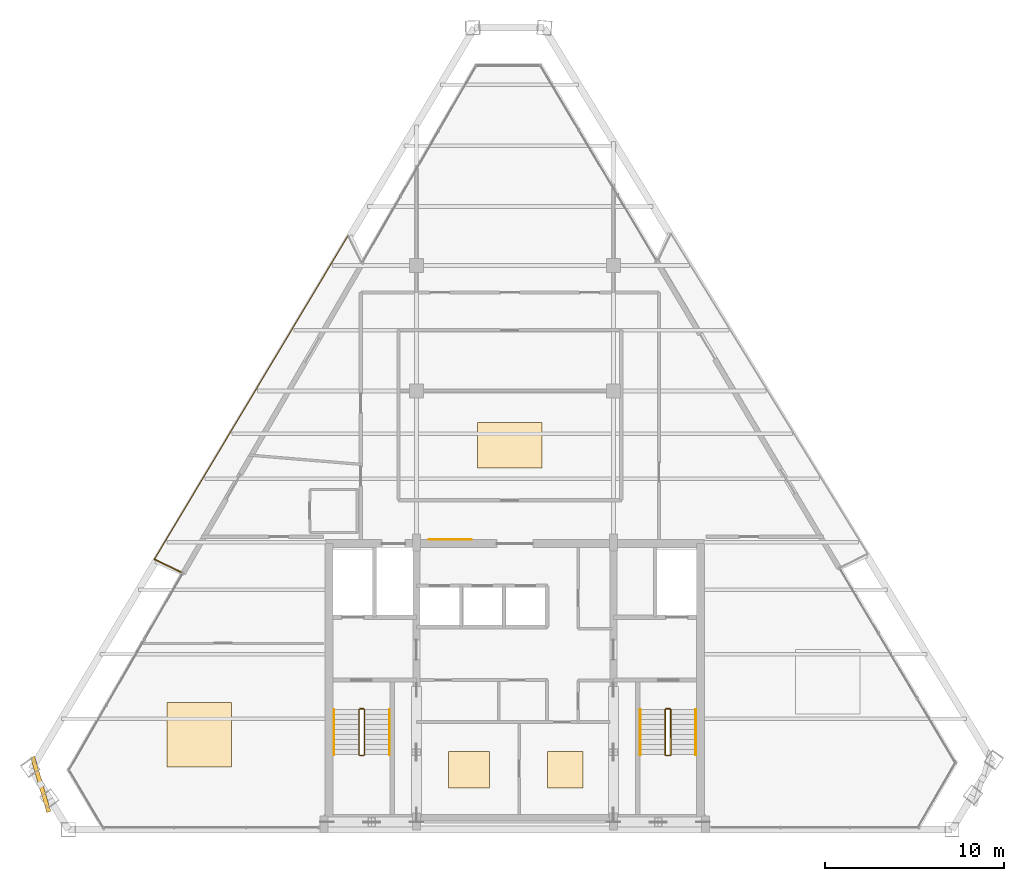
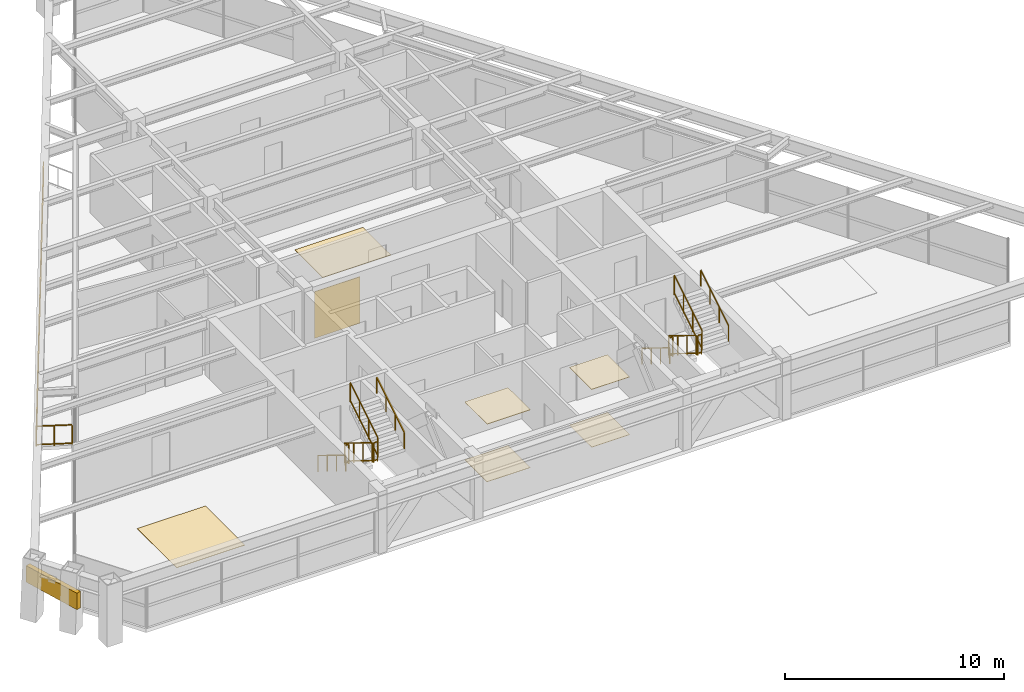
# One storey, part 12 of 13: 14 railings, 7 coverings, 1 shading device.
"""IFC4 building model written with IfcOpenShell, lengths in metres."""

from ifc_helpers import new_model, si_unit, direction, frame, origin, origin_2d, place, context, subcontext, project, spatial, rectangle, extrude, source, transform, mapped, material, layer, layer_set, type_object, type_shapes, element, save


model = new_model("IFC4")

# Units and contexts
model_context = context("Model", 3, precision=1e-05, world=origin(), true_north=direction((0.0, 1.0)))
body_context = subcontext(model_context, "Body", "Model", "MODEL_VIEW")
ifc_project = project(units=[si_unit("LENGTHUNIT", "METRE"), si_unit("AREAUNIT", "SQUARE_METRE"), si_unit("VOLUMEUNIT", "CUBIC_METRE"), si_unit("PLANEANGLEUNIT", "RADIAN"), si_unit("MASSUNIT", "GRAM", prefix="KILO")], contexts=[model_context])

# Site, building, storey
site_placement = place(None, origin())
site = spatial("IfcSite", under=ifc_project, at=site_placement, CompositionType="ELEMENT")
building_placement = place(site_placement, origin())
building = spatial("IfcBuilding", under=site, at=building_placement, Name="Varnakhor Terracotta Tower", CompositionType="ELEMENT")
storey_placement = place(building_placement, frame((0.0, 0.0, 273.0)))
storey = spatial("IfcBuildingStorey", under=building, at=storey_placement, Name="L71", CompositionType="ELEMENT", Elevation=273.0)

# Railings
ifc_material_1 = material(Name="Stainless Steel & Laminated Glass Guardrail", Category="steel")
railing_type_1 = type_object("IfcRailingType", Name="RLG-LOGGIA-GUARD-1150", PredefinedType="GUARDRAIL", material=ifc_material_1)
railing_1_placement = place(storey_placement, frame((-18.649658203125, 14.377685546875, 0.0)))
element("IfcRailing", 1, at=railing_1_placement, inside=storey, type_object=railing_type_1, Name="L71 W Loggia Glass Guard 1", PredefinedType="GUARDRAIL", context=body_context, shape_type="SweptSolid", body=[
    extrude(rectangle(XDim=0.048095703125, YDim=0.048095703125, at=origin_2d()), frame((0.0, 0.0, 1.1259765625), z_axis=(-0.898517126981, 0.438938460974, 0.0), x_axis=(-0.438938460974, -0.898517126981, 0.0)), (0.0, 0.0, 1.0), 1.64404296875),
    extrude(rectangle(XDim=0.048095703125, YDim=0.048095703125, at=origin_2d()), frame((0.0, 0.0, 0.10009765625), z_axis=(-0.898517126981, 0.438938460974, 0.0), x_axis=(-0.438938460974, -0.898517126981, 0.0)), (0.0, 0.0, 1.0), 1.64404296875),
    extrude(rectangle(XDim=0.0419921875, YDim=0.0419921875, at=origin_2d()), origin(), (0.0, 0.0, 1.0), 1.101806640625),
    extrude(rectangle(XDim=0.0419921875, YDim=0.0419921875, at=origin_2d()), frame((-0.73876953125, 0.36083984375, 0.0)), (0.0, 0.0, 1.0), 1.101806640625),
    extrude(rectangle(XDim=0.0419921875, YDim=0.0419921875, at=origin_2d()), frame((-1.477294921875, 0.7216796875, 0.0)), (0.0, 0.0, 1.0), 1.101806640625),
])
railing_2_placement = place(storey_placement, frame((-20.126953125, 15.099365234375, 0.0)))
element("IfcRailing", 2, at=railing_2_placement, inside=storey, type_object=railing_type_1, Name="L71 W Loggia Glass Guard 2", PredefinedType="GUARDRAIL", context=body_context, shape_type="SweptSolid", body=[
    extrude(rectangle(XDim=0.048095703125, YDim=0.048095703125, at=origin_2d()), frame((0.0, 0.0, 1.1259765625), z_axis=(0.51333213921, 0.858190022579, 0.0), x_axis=(-0.858190022579, 0.51333213921, 0.0)), (0.0, 0.0, 1.0), 21.051513671875),
    extrude(rectangle(XDim=0.048095703125, YDim=0.048095703125, at=origin_2d()), frame((0.0, 0.0, 0.10009765625), z_axis=(0.51333213921, 0.858190022579, 0.0), x_axis=(-0.858190022579, 0.51333213921, 0.0)), (0.0, 0.0, 1.0), 21.051513671875),
    extrude(rectangle(XDim=0.0419921875, YDim=0.0419921875, at=origin_2d()), origin(), (0.0, 0.0, 1.0), 1.101806640625),
    extrude(rectangle(XDim=0.0419921875, YDim=0.0419921875, at=origin_2d()), frame((0.67529296875, 1.129150390625, 0.0)), (0.0, 0.0, 1.0), 1.101806640625),
    extrude(rectangle(XDim=0.0419921875, YDim=0.0419921875, at=origin_2d()), frame((1.350830078125, 2.25830078125, 0.0)), (0.0, 0.0, 1.0), 1.101806640625),
    extrude(rectangle(XDim=0.0419921875, YDim=0.0419921875, at=origin_2d()), frame((2.026123046875, 3.387451171875, 0.0)), (0.0, 0.0, 1.0), 1.101806640625),
    extrude(rectangle(XDim=0.0419921875, YDim=0.0419921875, at=origin_2d()), frame((2.70166015625, 4.5166015625, 0.0)), (0.0, 0.0, 1.0), 1.101806640625),
    extrude(rectangle(XDim=0.0419921875, YDim=0.0419921875, at=origin_2d()), frame((3.376953125, 5.645751953125, 0.0)), (0.0, 0.0, 1.0), 1.101806640625),
    extrude(rectangle(XDim=0.0419921875, YDim=0.0419921875, at=origin_2d()), frame((4.052490234375, 6.77490234375, 0.0)), (0.0, 0.0, 1.0), 1.101806640625),
    extrude(rectangle(XDim=0.0419921875, YDim=0.0419921875, at=origin_2d()), frame((4.727783203125, 7.904052734375, 0.0)), (0.0, 0.0, 1.0), 1.101806640625),
    extrude(rectangle(XDim=0.0419921875, YDim=0.0419921875, at=origin_2d()), frame((5.4033203125, 9.033203125, 0.0)), (0.0, 0.0, 1.0), 1.101806640625),
    extrude(rectangle(XDim=0.0419921875, YDim=0.0419921875, at=origin_2d()), frame((6.07861328125, 10.162109375, 0.0)), (0.0, 0.0, 1.0), 1.101806640625),
    extrude(rectangle(XDim=0.0419921875, YDim=0.0419921875, at=origin_2d()), frame((6.75390625, 11.291259765625, 0.0)), (0.0, 0.0, 1.0), 1.101806640625),
    extrude(rectangle(XDim=0.0419921875, YDim=0.0419921875, at=origin_2d()), frame((7.429443359375, 12.42041015625, 0.0)), (0.0, 0.0, 1.0), 1.101806640625),
    extrude(rectangle(XDim=0.0419921875, YDim=0.0419921875, at=origin_2d()), frame((8.104736328125, 13.549560546875, 0.0)), (0.0, 0.0, 1.0), 1.101806640625),
    extrude(rectangle(XDim=0.0419921875, YDim=0.0419921875, at=origin_2d()), frame((8.7802734375, 14.6787109375, 0.0)), (0.0, 0.0, 1.0), 1.101806640625),
    extrude(rectangle(XDim=0.0419921875, YDim=0.0419921875, at=origin_2d()), frame((9.45556640625, 15.807861328125, 0.0)), (0.0, 0.0, 1.0), 1.101806640625),
    extrude(rectangle(XDim=0.0419921875, YDim=0.0419921875, at=origin_2d()), frame((10.131103515625, 16.93701171875, 0.0)), (0.0, 0.0, 1.0), 1.101806640625),
    extrude(rectangle(XDim=0.0419921875, YDim=0.0419921875, at=origin_2d()), frame((10.806396484375, 18.066162109375, 0.0)), (0.0, 0.0, 1.0), 1.101806640625),
])
ifc_material_2 = material(Name="Painted Steel Stairwell Guardrail", Category="steel")
railing_type_2 = type_object("IfcRailingType", Name="RLG-STAIR-GUARD-1120", PredefinedType="GUARDRAIL", material=ifc_material_2)
railing_3_placement = place(storey_placement, frame((-8.699951171875, 6.7099609375, 0.172607421875)))
element("IfcRailing", 3, at=railing_3_placement, inside=storey, type_object=railing_type_2, Name="L71 ST-1 stair guard 1", PredefinedType="GUARDRAIL", context=body_context, shape_type="SweptSolid", body=[
    extrude(rectangle(XDim=0.048095703125, YDim=0.048095703125, at=origin_2d()), frame((0.0, 0.0, 1.09619140625), z_axis=(0.0, -0.851400495292, 0.524516154772), x_axis=(1.0, 0.0, 0.0)), (0.0, 0.0, 1.0), 2.9599609375),
    extrude(rectangle(XDim=0.048095703125, YDim=0.048095703125, at=origin_2d()), frame((0.0, 0.0, 0.10009765625), z_axis=(0.0, -0.851400495292, 0.524516154772), x_axis=(1.0, 0.0, 0.0)), (0.0, 0.0, 1.0), 2.9599609375),
    extrude(rectangle(XDim=0.0419921875, YDim=0.0419921875, at=origin_2d()), origin(), (0.0, 0.0, 1.0), 1.072021484375),
    extrude(rectangle(XDim=0.0419921875, YDim=0.0419921875, at=origin_2d()), frame((0.0, -0.840087890625, 0.517578125)), (0.0, 0.0, 1.0), 1.072021484375),
    extrude(rectangle(XDim=0.0419921875, YDim=0.0419921875, at=origin_2d()), frame((0.0, -1.679931640625, 1.034912109375)), (0.0, 0.0, 1.0), 1.072021484375),
    extrude(rectangle(XDim=0.0419921875, YDim=0.0419921875, at=origin_2d()), frame((0.0, -2.52001953125, 1.552490234375)), (0.0, 0.0, 1.0), 1.072021484375),
])
railing_4_placement = place(storey_placement, frame((-8.64990234375, 4.139892578125, 1.72509765625)))
element("IfcRailing", 4, at=railing_4_placement, inside=storey, type_object=railing_type_2, Name="L71 ST-1 stair guard 2", PredefinedType="GUARDRAIL", context=body_context, shape_type="SweptSolid", body=[
    extrude(rectangle(XDim=0.048095703125, YDim=0.048095703125, at=origin_2d()), frame((0.0, 0.0, 1.09619140625), z_axis=(1.0, 0.0, 0.0), x_axis=(0.0, 1.0, 0.0)), (0.0, 0.0, 1.0), 0.199951171875),
    extrude(rectangle(XDim=0.048095703125, YDim=0.048095703125, at=origin_2d()), frame((0.0, 0.0, 0.10009765625), z_axis=(1.0, 0.0, 0.0), x_axis=(0.0, 1.0, 0.0)), (0.0, 0.0, 1.0), 0.199951171875),
    extrude(rectangle(XDim=0.0419921875, YDim=0.0419921875, at=origin_2d()), origin(), (0.0, 0.0, 1.0), 1.072021484375),
    extrude(rectangle(XDim=0.0419921875, YDim=0.0419921875, at=origin_2d()), frame((0.199951171875, 0.0, 0.0)), (0.0, 0.0, 1.0), 1.072021484375),
])
railing_5_placement = place(storey_placement, frame((-8.39990234375, 4.18994140625, 1.8974609375)))
element("IfcRailing", 5, at=railing_5_placement, inside=storey, type_object=railing_type_2, Name="L71 ST-1 stair guard 3", PredefinedType="GUARDRAIL", context=body_context, shape_type="SweptSolid", body=[
    extrude(rectangle(XDim=0.048095703125, YDim=0.048095703125, at=origin_2d()), frame((0.0, 0.0, 1.09619140625), z_axis=(0.0, 0.851400495292, 0.524516154772), x_axis=(-1.0, 0.0, 0.0)), (0.0, 0.0, 1.0), 2.9599609375),
    extrude(rectangle(XDim=0.048095703125, YDim=0.048095703125, at=origin_2d()), frame((0.0, 0.0, 0.10009765625), z_axis=(0.0, 0.851400495292, 0.524516154772), x_axis=(-1.0, 0.0, 0.0)), (0.0, 0.0, 1.0), 2.9599609375),
    extrude(rectangle(XDim=0.0419921875, YDim=0.0419921875, at=origin_2d()), origin(), (0.0, 0.0, 1.0), 1.072021484375),
    extrude(rectangle(XDim=0.0419921875, YDim=0.0419921875, at=origin_2d()), frame((0.0, 0.840087890625, 0.517578125)), (0.0, 0.0, 1.0), 1.072021484375),
    extrude(rectangle(XDim=0.0419921875, YDim=0.0419921875, at=origin_2d()), frame((0.0, 1.679931640625, 1.034912109375)), (0.0, 0.0, 1.0), 1.072021484375),
    extrude(rectangle(XDim=0.0419921875, YDim=0.0419921875, at=origin_2d()), frame((0.0, 2.52001953125, 1.552490234375)), (0.0, 0.0, 1.0), 1.072021484375),
])
railing_6_placement = place(storey_placement, frame((-8.64990234375, 6.760009765625, 0.0)))
element("IfcRailing", 6, at=railing_6_placement, inside=storey, type_object=railing_type_2, Name="L71 ST-1 stair guard 4", PredefinedType="GUARDRAIL", context=body_context, shape_type="SweptSolid", body=[
    extrude(rectangle(XDim=0.048095703125, YDim=0.048095703125, at=origin_2d()), frame((0.0, 0.0, 1.09619140625), z_axis=(1.0, 0.0, 0.0), x_axis=(0.0, 1.0, 0.0)), (0.0, 0.0, 1.0), 0.199951171875),
    extrude(rectangle(XDim=0.048095703125, YDim=0.048095703125, at=origin_2d()), frame((0.0, 0.0, 0.10009765625), z_axis=(1.0, 0.0, 0.0), x_axis=(0.0, 1.0, 0.0)), (0.0, 0.0, 1.0), 0.199951171875),
    extrude(rectangle(XDim=0.0419921875, YDim=0.0419921875, at=origin_2d()), origin(), (0.0, 0.0, 1.0), 1.072021484375),
    extrude(rectangle(XDim=0.0419921875, YDim=0.0419921875, at=origin_2d()), frame((0.199951171875, 0.0, 0.0)), (0.0, 0.0, 1.0), 1.072021484375),
])
railing_7_placement = place(storey_placement, frame((8.39990234375, 6.7099609375, 0.172607421875)))
element("IfcRailing", 7, at=railing_7_placement, inside=storey, type_object=railing_type_2, Name="L71 ST-2 stair guard 1", PredefinedType="GUARDRAIL", context=body_context, shape_type="SweptSolid", body=[
    extrude(rectangle(XDim=0.048095703125, YDim=0.048095703125, at=origin_2d()), frame((0.0, 0.0, 1.09619140625), z_axis=(0.0, -0.851400495292, 0.524516154772), x_axis=(1.0, 0.0, 0.0)), (0.0, 0.0, 1.0), 2.9599609375),
    extrude(rectangle(XDim=0.048095703125, YDim=0.048095703125, at=origin_2d()), frame((0.0, 0.0, 0.10009765625), z_axis=(0.0, -0.851400495292, 0.524516154772), x_axis=(1.0, 0.0, 0.0)), (0.0, 0.0, 1.0), 2.9599609375),
    extrude(rectangle(XDim=0.0419921875, YDim=0.0419921875, at=origin_2d()), origin(), (0.0, 0.0, 1.0), 1.072021484375),
    extrude(rectangle(XDim=0.0419921875, YDim=0.0419921875, at=origin_2d()), frame((0.0, -0.840087890625, 0.517578125)), (0.0, 0.0, 1.0), 1.072021484375),
    extrude(rectangle(XDim=0.0419921875, YDim=0.0419921875, at=origin_2d()), frame((0.0, -1.679931640625, 1.034912109375)), (0.0, 0.0, 1.0), 1.072021484375),
    extrude(rectangle(XDim=0.0419921875, YDim=0.0419921875, at=origin_2d()), frame((0.0, -2.52001953125, 1.552490234375)), (0.0, 0.0, 1.0), 1.072021484375),
])
railing_8_placement = place(storey_placement, frame((8.449951171875, 4.139892578125, 1.72509765625)))
element("IfcRailing", 8, at=railing_8_placement, inside=storey, type_object=railing_type_2, Name="L71 ST-2 stair guard 2", PredefinedType="GUARDRAIL", context=body_context, shape_type="SweptSolid", body=[
    extrude(rectangle(XDim=0.048095703125, YDim=0.048095703125, at=origin_2d()), frame((0.0, 0.0, 1.09619140625), z_axis=(1.0, 0.0, 0.0), x_axis=(0.0, 1.0, 0.0)), (0.0, 0.0, 1.0), 0.199951171875),
    extrude(rectangle(XDim=0.048095703125, YDim=0.048095703125, at=origin_2d()), frame((0.0, 0.0, 0.10009765625), z_axis=(1.0, 0.0, 0.0), x_axis=(0.0, 1.0, 0.0)), (0.0, 0.0, 1.0), 0.199951171875),
    extrude(rectangle(XDim=0.0419921875, YDim=0.0419921875, at=origin_2d()), origin(), (0.0, 0.0, 1.0), 1.072021484375),
    extrude(rectangle(XDim=0.0419921875, YDim=0.0419921875, at=origin_2d()), frame((0.199951171875, 0.0, 0.0)), (0.0, 0.0, 1.0), 1.072021484375),
])
railing_9_placement = place(storey_placement, frame((8.699951171875, 4.18994140625, 1.8974609375)))
element("IfcRailing", 9, at=railing_9_placement, inside=storey, type_object=railing_type_2, Name="L71 ST-2 stair guard 3", PredefinedType="GUARDRAIL", context=body_context, shape_type="SweptSolid", body=[
    extrude(rectangle(XDim=0.048095703125, YDim=0.048095703125, at=origin_2d()), frame((0.0, 0.0, 1.09619140625), z_axis=(0.0, 0.851400495292, 0.524516154772), x_axis=(-1.0, 0.0, 0.0)), (0.0, 0.0, 1.0), 2.9599609375),
    extrude(rectangle(XDim=0.048095703125, YDim=0.048095703125, at=origin_2d()), frame((0.0, 0.0, 0.10009765625), z_axis=(0.0, 0.851400495292, 0.524516154772), x_axis=(-1.0, 0.0, 0.0)), (0.0, 0.0, 1.0), 2.9599609375),
    extrude(rectangle(XDim=0.0419921875, YDim=0.0419921875, at=origin_2d()), origin(), (0.0, 0.0, 1.0), 1.072021484375),
    extrude(rectangle(XDim=0.0419921875, YDim=0.0419921875, at=origin_2d()), frame((0.0, 0.840087890625, 0.517578125)), (0.0, 0.0, 1.0), 1.072021484375),
    extrude(rectangle(XDim=0.0419921875, YDim=0.0419921875, at=origin_2d()), frame((0.0, 1.679931640625, 1.034912109375)), (0.0, 0.0, 1.0), 1.072021484375),
    extrude(rectangle(XDim=0.0419921875, YDim=0.0419921875, at=origin_2d()), frame((0.0, 2.52001953125, 1.552490234375)), (0.0, 0.0, 1.0), 1.072021484375),
])
railing_10_placement = place(storey_placement, frame((8.449951171875, 6.760009765625, 0.0)))
element("IfcRailing", 10, at=railing_10_placement, inside=storey, type_object=railing_type_2, Name="L71 ST-2 stair guard 4", PredefinedType="GUARDRAIL", context=body_context, shape_type="SweptSolid", body=[
    extrude(rectangle(XDim=0.048095703125, YDim=0.048095703125, at=origin_2d()), frame((0.0, 0.0, 1.09619140625), z_axis=(1.0, 0.0, 0.0), x_axis=(0.0, 1.0, 0.0)), (0.0, 0.0, 1.0), 0.199951171875),
    extrude(rectangle(XDim=0.048095703125, YDim=0.048095703125, at=origin_2d()), frame((0.0, 0.0, 0.10009765625), z_axis=(1.0, 0.0, 0.0), x_axis=(0.0, 1.0, 0.0)), (0.0, 0.0, 1.0), 0.199951171875),
    extrude(rectangle(XDim=0.0419921875, YDim=0.0419921875, at=origin_2d()), origin(), (0.0, 0.0, 1.0), 1.072021484375),
    extrude(rectangle(XDim=0.0419921875, YDim=0.0419921875, at=origin_2d()), frame((0.199951171875, 0.0, 0.0)), (0.0, 0.0, 1.0), 1.072021484375),
])
ifc_material_3 = material(Name="Brushed Stainless Steel Handrail", Category="steel")
railing_type_3 = type_object("IfcRailingType", Name="RLG-STAIR-HANDRAIL-920", PredefinedType="HANDRAIL", material=ifc_material_3)
railing_11_placement = place(storey_placement, frame((-10.10009765625, 6.7099609375, 0.172607421875)))
element("IfcRailing", 11, at=railing_11_placement, inside=storey, type_object=railing_type_3, Name="L71 ST-1 stair handrail 1", PredefinedType="HANDRAIL", context=body_context, shape_type="SweptSolid", body=[
    extrude(rectangle(XDim=0.048095703125, YDim=0.048095703125, at=origin_2d()), frame((0.0, 0.0, 0.89599609375), z_axis=(0.0, -0.851400495292, 0.524516154772), x_axis=(1.0, 0.0, 0.0)), (0.0, 0.0, 1.0), 2.9599609375),
    extrude(rectangle(XDim=0.0419921875, YDim=0.0419921875, at=origin_2d()), origin(), (0.0, 0.0, 1.0), 0.871826171875),
    extrude(rectangle(XDim=0.0419921875, YDim=0.0419921875, at=origin_2d()), frame((0.0, -0.840087890625, 0.517578125)), (0.0, 0.0, 1.0), 0.871826171875),
    extrude(rectangle(XDim=0.0419921875, YDim=0.0419921875, at=origin_2d()), frame((0.0, -1.679931640625, 1.034912109375)), (0.0, 0.0, 1.0), 0.871826171875),
    extrude(rectangle(XDim=0.0419921875, YDim=0.0419921875, at=origin_2d()), frame((0.0, -2.52001953125, 1.552490234375)), (0.0, 0.0, 1.0), 0.871826171875),
])
railing_12_placement = place(storey_placement, frame((-7.0, 4.18994140625, 1.8974609375)))
element("IfcRailing", 12, at=railing_12_placement, inside=storey, type_object=railing_type_3, Name="L71 ST-1 stair handrail 2", PredefinedType="HANDRAIL", context=body_context, shape_type="SweptSolid", body=[
    extrude(rectangle(XDim=0.048095703125, YDim=0.048095703125, at=origin_2d()), frame((0.0, 0.0, 0.89599609375), z_axis=(0.0, 0.851400495292, 0.524516154772), x_axis=(-1.0, 0.0, 0.0)), (0.0, 0.0, 1.0), 2.9599609375),
    extrude(rectangle(XDim=0.0419921875, YDim=0.0419921875, at=origin_2d()), origin(), (0.0, 0.0, 1.0), 0.871826171875),
    extrude(rectangle(XDim=0.0419921875, YDim=0.0419921875, at=origin_2d()), frame((0.0, 0.840087890625, 0.517578125)), (0.0, 0.0, 1.0), 0.871826171875),
    extrude(rectangle(XDim=0.0419921875, YDim=0.0419921875, at=origin_2d()), frame((0.0, 1.679931640625, 1.034912109375)), (0.0, 0.0, 1.0), 0.871826171875),
    extrude(rectangle(XDim=0.0419921875, YDim=0.0419921875, at=origin_2d()), frame((0.0, 2.52001953125, 1.552490234375)), (0.0, 0.0, 1.0), 0.871826171875),
])
railing_13_placement = place(storey_placement, frame((7.0, 6.7099609375, 0.172607421875)))
element("IfcRailing", 13, at=railing_13_placement, inside=storey, type_object=railing_type_3, Name="L71 ST-2 stair handrail 1", PredefinedType="HANDRAIL", context=body_context, shape_type="SweptSolid", body=[
    extrude(rectangle(XDim=0.048095703125, YDim=0.048095703125, at=origin_2d()), frame((0.0, 0.0, 0.89599609375), z_axis=(0.0, -0.851400495292, 0.524516154772), x_axis=(1.0, 0.0, 0.0)), (0.0, 0.0, 1.0), 2.9599609375),
    extrude(rectangle(XDim=0.0419921875, YDim=0.0419921875, at=origin_2d()), origin(), (0.0, 0.0, 1.0), 0.871826171875),
    extrude(rectangle(XDim=0.0419921875, YDim=0.0419921875, at=origin_2d()), frame((0.0, -0.840087890625, 0.517578125)), (0.0, 0.0, 1.0), 0.871826171875),
    extrude(rectangle(XDim=0.0419921875, YDim=0.0419921875, at=origin_2d()), frame((0.0, -1.679931640625, 1.034912109375)), (0.0, 0.0, 1.0), 0.871826171875),
    extrude(rectangle(XDim=0.0419921875, YDim=0.0419921875, at=origin_2d()), frame((0.0, -2.52001953125, 1.552490234375)), (0.0, 0.0, 1.0), 0.871826171875),
])
railing_14_placement = place(storey_placement, frame((10.10009765625, 4.18994140625, 1.8974609375)))
element("IfcRailing", 14, at=railing_14_placement, inside=storey, type_object=railing_type_3, Name="L71 ST-2 stair handrail 2", PredefinedType="HANDRAIL", context=body_context, shape_type="SweptSolid", body=[
    extrude(rectangle(XDim=0.048095703125, YDim=0.048095703125, at=origin_2d()), frame((0.0, 0.0, 0.89599609375), z_axis=(0.0, 0.851400495292, 0.524516154772), x_axis=(-1.0, 0.0, 0.0)), (0.0, 0.0, 1.0), 2.9599609375),
    extrude(rectangle(XDim=0.0419921875, YDim=0.0419921875, at=origin_2d()), origin(), (0.0, 0.0, 1.0), 0.871826171875),
    extrude(rectangle(XDim=0.0419921875, YDim=0.0419921875, at=origin_2d()), frame((0.0, 0.840087890625, 0.517578125)), (0.0, 0.0, 1.0), 0.871826171875),
    extrude(rectangle(XDim=0.0419921875, YDim=0.0419921875, at=origin_2d()), frame((0.0, 1.679931640625, 1.034912109375)), (0.0, 0.0, 1.0), 0.871826171875),
    extrude(rectangle(XDim=0.0419921875, YDim=0.0419921875, at=origin_2d()), frame((0.0, 2.52001953125, 1.552490234375)), (0.0, 0.0, 1.0), 0.871826171875),
])

# Shading device
ifc_material_4 = material(Name="Extruded Architectural Terracotta Screen", Category="masonry")
shading_device_type = type_object("IfcShadingDeviceType", Name="TERRACOTTA SOLAR SCREEN W", PredefinedType="USERDEFINED", material=ifc_material_4)
shared_shape_1 = source(origin(), body_context, "Body", "SweptSolid", [
    extrude(rectangle(XDim=3.199951171875, YDim=0.239990234375, at=origin_2d()), origin(), (0.0, 0.0, 1.0), 0.919921875),
])
type_shapes(shading_device_type, [shared_shape_1])
shading_device_placement = place(storey_placement, frame((-26.48046875, 2.531005859375, 1.56201171875), z_axis=(0.0, 0.0, 1.0), x_axis=(0.283245463433, -0.959047447963, 0.0)))
element("IfcShadingDevice", 15, at=shading_device_placement, inside=storey, type_object=shading_device_type, Name="L71 W Terracotta Solar Screen", ObjectType="SCREEN", PredefinedType="USERDEFINED", context=body_context, shape_type="MappedRepresentation", body=[
    mapped(shared_shape_1, transform((0.0, 0.0, 0.0), scale=1.0)),
])

# Coverings
ifc_material_5 = material(Name="Extruded Architectural Terracotta Cladding", Category="masonry")
ifc_layer_1 = layer(ifc_material_5, 0.044921875, Name="Extruded Architectural Terracotta Cladding")
ifc_layer_set_1 = layer_set([ifc_layer_1], Name="Extruded Architectural Terracotta Cladding")
covering_type_1 = type_object("IfcCoveringType", Name="COV-CLAD-TERRACOTTA", PredefinedType="CLADDING", material=ifc_layer_set_1)
shared_shape_2 = source(origin(), body_context, "Body", "SweptSolid", [
    extrude(rectangle(XDim=2.39990234375, YDim=0.030029296875, at=origin_2d()), origin(), (0.0, 0.0, 1.0), 2.60009765625),
])
type_shapes(covering_type_1, [shared_shape_2])
covering_1_placement = place(storey_placement, frame((-3.60009765625, 16.2119140625, 0.0), z_axis=(0.0, 0.0, 1.0), x_axis=(1.0, 0.0, 0.0)))
element("IfcCovering", 16, at=covering_1_placement, inside=storey, type_object=covering_type_1, Name="L71 Core Lobby Limestone Cladding", PredefinedType="CLADDING", context=body_context, shape_type="MappedRepresentation", body=[
    mapped(shared_shape_2, transform((0.0, 0.0, 0.0), scale=1.0)),
])
ifc_material_6 = material(Name="Honed Riyadh Limestone Flooring", Category="masonry")
ifc_layer_2 = layer(ifc_material_6, 0.030029296875, Name="Honed Riyadh Limestone Flooring")
ifc_layer_set_2 = layer_set([ifc_layer_2], Name="Honed Riyadh Limestone Flooring")
covering_type_2 = type_object("IfcCoveringType", Name="COV-FLOOR-LIMESTONE", PredefinedType="FLOORING", material=ifc_layer_set_2)
shared_shape_3 = source(origin(), body_context, "Body", "SweptSolid", [
    extrude(rectangle(XDim=3.60009765625, YDim=3.60009765625, at=origin_2d()), origin(), (0.0, 0.0, 1.0), 0.02001953125),
])
covering_2_placement = place(storey_placement, frame((-17.614013671875, 5.303955078125, 0.0), z_axis=(0.0, 0.0, 1.0), x_axis=(1.0, 0.0, 0.0)))
element("IfcCovering", 17, at=covering_2_placement, inside=storey, type_object=covering_type_2, Name="L71 Honed Stone Flooring 3", PredefinedType="FLOORING", context=body_context, shape_type="MappedRepresentation", body=[
    mapped(shared_shape_3, transform((0.0, 0.0, 0.0), scale=1.0)),
])
shared_shape_4 = source(origin(), body_context, "Body", "SweptSolid", [
    extrude(rectangle(XDim=2.281982421875, YDim=2.041015625, at=origin_2d()), origin(), (0.0, 0.0, 1.0), 0.02001953125),
])
covering_3_placement = place(storey_placement, frame((-2.56494140625, 3.35498046875, 0.0), z_axis=(0.0, 0.0, 1.0), x_axis=(1.0, 0.0, 0.0)))
element("IfcCovering", 18, at=covering_3_placement, inside=storey, type_object=covering_type_2, Name="L71 Honed Stone Flooring 1", PredefinedType="FLOORING", context=body_context, shape_type="MappedRepresentation", body=[
    mapped(shared_shape_4, transform((0.0, 0.0, 0.0), scale=1.0)),
])
ifc_material_7 = material(Name="Perforated Acoustic Mineral-Fibre Ceiling", Category="gypsum")
ifc_layer_3 = layer(ifc_material_7, 0.02490234375, Name="Perforated Acoustic Mineral-Fibre Ceiling")
ifc_layer_set_3 = layer_set([ifc_layer_3], Name="Perforated Acoustic Mineral-Fibre Ceiling")
covering_type_3 = type_object("IfcCoveringType", Name="COV-CEILING-ACOUSTIC", PredefinedType="CEILING", material=ifc_layer_set_3)
shared_shape_5 = source(origin(), body_context, "Body", "SweptSolid", [
    extrude(rectangle(XDim=2.281982421875, YDim=2.041015625, at=origin_2d()), origin(), (0.0, 0.0, 1.0), 0.02392578125),
])
covering_4_placement = place(storey_placement, frame((-2.56494140625, 3.35498046875, 3.216064453125), z_axis=(0.0, 0.0, 1.0), x_axis=(1.0, 0.0, 0.0)))
element("IfcCovering", 19, at=covering_4_placement, inside=storey, type_object=covering_type_3, Name="L71 Acoustic Ceiling Panel 1", PredefinedType="CEILING", context=body_context, shape_type="MappedRepresentation", body=[
    mapped(shared_shape_5, transform((0.0, 0.0, 0.0), scale=1.0)),
])
shared_shape_6 = source(origin(), body_context, "Body", "SweptSolid", [
    extrude(rectangle(XDim=2.007080078125, YDim=2.041015625, at=origin_2d()), origin(), (0.0, 0.0, 1.0), 0.02001953125),
])
covering_5_placement = place(storey_placement, frame((2.81494140625, 3.35498046875, 0.0), z_axis=(0.0, 0.0, 1.0), x_axis=(1.0, 0.0, 0.0)))
element("IfcCovering", 20, at=covering_5_placement, inside=storey, type_object=covering_type_2, Name="L71 Honed Stone Flooring 2", PredefinedType="FLOORING", context=body_context, shape_type="MappedRepresentation", body=[
    mapped(shared_shape_6, transform((0.0, 0.0, 0.0), scale=1.0)),
])
shared_shape_7 = source(origin(), body_context, "Body", "SweptSolid", [
    extrude(rectangle(XDim=2.007080078125, YDim=2.041015625, at=origin_2d()), origin(), (0.0, 0.0, 1.0), 0.02392578125),
])
covering_6_placement = place(storey_placement, frame((2.81494140625, 3.35498046875, 3.216064453125), z_axis=(0.0, 0.0, 1.0), x_axis=(1.0, 0.0, 0.0)))
element("IfcCovering", 21, at=covering_6_placement, inside=storey, type_object=covering_type_3, Name="L71 Acoustic Ceiling Panel 2", PredefinedType="CEILING", context=body_context, shape_type="MappedRepresentation", body=[
    mapped(shared_shape_7, transform((0.0, 0.0, 0.0), scale=1.0)),
])
shared_shape_8 = source(origin(), body_context, "Body", "SweptSolid", [
    extrude(rectangle(XDim=3.60009765625, YDim=2.5439453125, at=origin_2d()), origin(), (0.0, 0.0, 1.0), 0.02001953125),
])
covering_7_placement = place(storey_placement, frame((-0.27490234375, 21.4609375, 0.0), z_axis=(0.0, 0.0, 1.0), x_axis=(1.0, 0.0, 0.0)))
element("IfcCovering", 22, at=covering_7_placement, inside=storey, type_object=covering_type_2, Name="L71 Honed Stone Flooring 5", PredefinedType="FLOORING", context=body_context, shape_type="MappedRepresentation", body=[
    mapped(shared_shape_8, transform((0.0, 0.0, 0.0), scale=1.0)),
])

save(model, "model.ifc")
